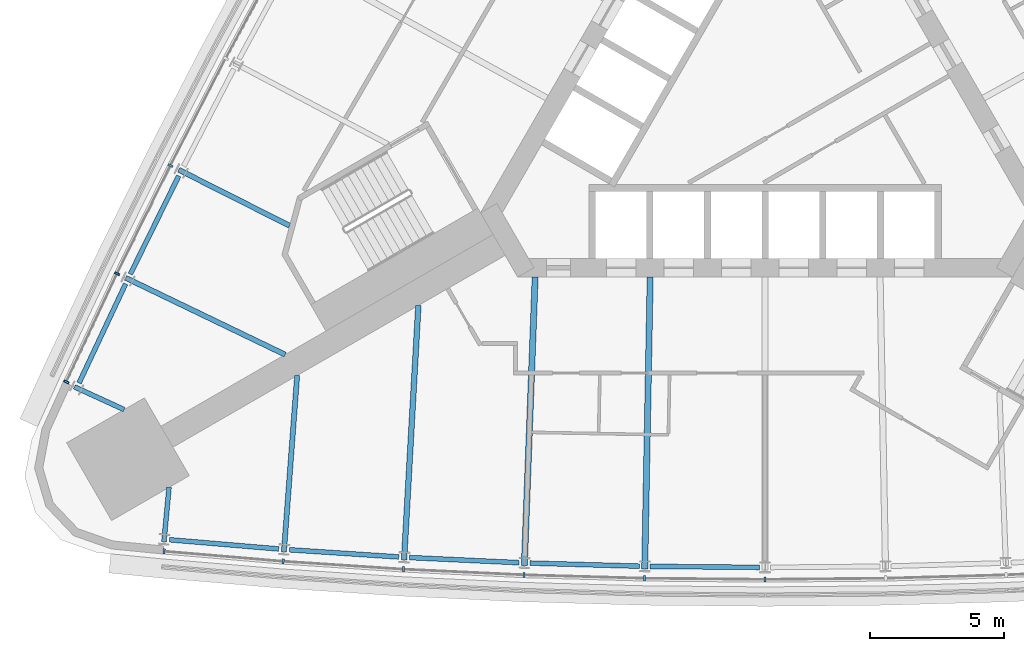
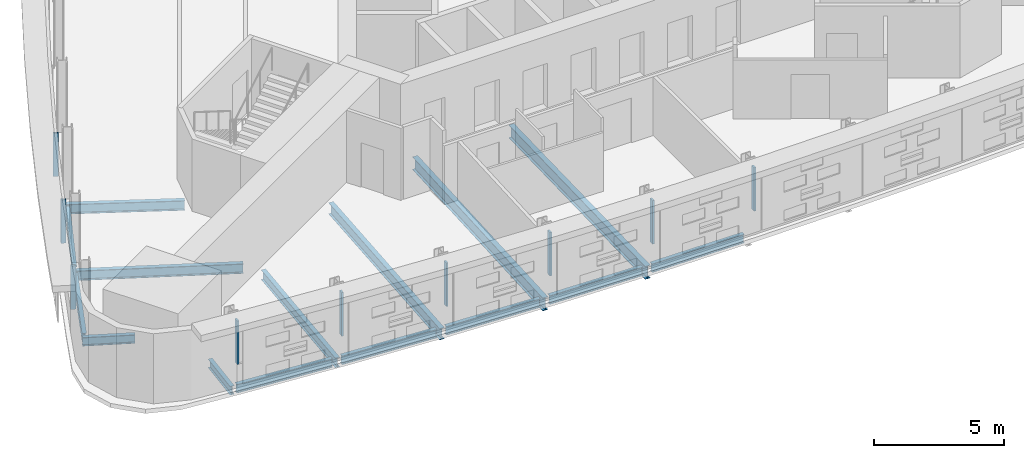
# One storey, part 2 of 14: 15 beams, 9 members, 2 elements without a shape of their own.
"""IFC4 building model written with IfcOpenShell, lengths in metres."""

from ifc_helpers import new_model, si_unit, direction, frame, origin, origin_2d, place, context, subcontext, project, spatial, rectangle, i_section, extrude, material, material_profile, profile_set, type_object, element, aggregate, save


model = new_model("IFC4")

# Units and contexts
model_context = context("Model", 3, precision=1e-05, world=origin(), true_north=direction((0.0, 1.0)))
body_context = subcontext(model_context, "Body", "Model", "MODEL_VIEW")
ifc_project = project(units=[si_unit("LENGTHUNIT", "METRE"), si_unit("AREAUNIT", "SQUARE_METRE"), si_unit("VOLUMEUNIT", "CUBIC_METRE"), si_unit("PLANEANGLEUNIT", "RADIAN"), si_unit("MASSUNIT", "GRAM", prefix="KILO")], contexts=[model_context])

# Site, building, storey
site_placement = place(None, origin())
site = spatial("IfcSite", under=ifc_project, at=site_placement, CompositionType="ELEMENT")
building_placement = place(site_placement, origin())
building = spatial("IfcBuilding", under=site, at=building_placement, Name="Noor Cloister Tower", CompositionType="ELEMENT")
storey_placement = place(building_placement, frame((0.0, 0.0, 34.800048828125)))
storey = spatial("IfcBuildingStorey", under=building, at=storey_placement, Name="L08", CompositionType="ELEMENT", Elevation=34.800048828125)

# Curtain wall, members
ifc_material_1 = material(Name="Aluminium 6063-T6 anodised", Category="aluminium")
curtain_wall_type = type_object("IfcCurtainWallType", Name="Ribbon curtain wall, lower tower CW1", PredefinedType="NOTDEFINED", material=ifc_material_1)
curtain_wall_1_placement = place(storey_placement, origin())
curtain_wall_1 = element("IfcCurtainWall", 1, at=curtain_wall_1_placement, inside=storey, type_object=curtain_wall_type, Name="CW1 L08 NW run 1", PredefinedType="NOTDEFINED")
ifc_material_2 = material(Name="Aluminium 6063-T6 anodised", Category="aluminium")
ifc_material_profile_1 = material_profile(ifc_material_2, rectangle(XDim=0.199951171875, YDim=0.080078125, at=origin_2d()), Name="200 x 80 mullion")
ifc_profile_set_1 = profile_set([ifc_material_profile_1], Name="Aluminium 6063-T6 anodised")
member_type = type_object("IfcMemberType", Name="Mullion CW1 80 x 200", PredefinedType="MULLION", material=ifc_profile_set_1)
member_1_placement = place(storey_placement, frame((-22.18310546875, -2.766357421875, 1.099853515625), z_axis=(0.0, 0.0, 1.0), x_axis=(0.892735341075, -0.450581414169, 0.0)))
member_1 = element("IfcMember", 2, at=member_1_placement, type_object=member_type, Name="CW1 mullion 9", PredefinedType="MULLION", context=body_context, shape_type="SweptSolid", body=[
    extrude(rectangle(XDim=0.199951171875, YDim=0.080078125, at=origin_2d()), origin(), (0.0, 0.0, 1.0), 2.050048828125),
])
member_2_placement = place(storey_placement, frame((-24.172119140625, -6.80078125, 1.099853515625), z_axis=(0.0, 0.0, 1.0), x_axis=(0.901016538018, -0.43378473719, 0.0)))
member_2 = element("IfcMember", 3, at=member_2_placement, type_object=member_type, Name="CW1 mullion 10", PredefinedType="MULLION", context=body_context, shape_type="SweptSolid", body=[
    extrude(rectangle(XDim=0.199951171875, YDim=0.080078125, at=origin_2d()), origin(), (0.0, 0.0, 1.0), 2.050048828125),
])
member_3_placement = place(storey_placement, frame((-26.068603515625, -10.83642578125, 1.099853515625), z_axis=(0.0, 0.0, 1.0), x_axis=(0.905038812816, -0.425328987134, 0.0)))
member_3 = element("IfcMember", 4, at=member_3_placement, type_object=member_type, Name="CW1 mullion 11", PredefinedType="MULLION", context=body_context, shape_type="SweptSolid", body=[
    extrude(rectangle(XDim=0.199951171875, YDim=0.080078125, at=origin_2d()), origin(), (0.0, 0.0, 1.0), 2.050048828125),
])
aggregate(curtain_wall_1, [member_1, member_2, member_3])

curtain_wall_2_placement = place(storey_placement, origin())
curtain_wall_2 = element("IfcCurtainWall", 5, at=curtain_wall_2_placement, inside=storey, type_object=curtain_wall_type, Name="CW1 L08 S run 2", PredefinedType="NOTDEFINED")
member_4_placement = place(storey_placement, frame((-22.4189453125, -17.157958984375, 1.099853515625), z_axis=(0.0, 0.0, 1.0), x_axis=(0.084173698584, 0.996451096877, 0.0)))
member_4 = element("IfcMember", 6, at=member_4_placement, type_object=member_type, Name="CW1 mullion 1", PredefinedType="MULLION", context=body_context, shape_type="SweptSolid", body=[
    extrude(rectangle(XDim=0.199951171875, YDim=0.080078125, at=origin_2d()), origin(), (0.0, 0.0, 1.0), 2.050048828125),
])
member_5_placement = place(storey_placement, frame((-17.9755859375, -17.533203125, 1.099853515625), z_axis=(0.0, 0.0, 1.0), x_axis=(0.074839666829, 0.997195579748, 0.0)))
member_5 = element("IfcMember", 7, at=member_5_placement, type_object=member_type, Name="CW1 mullion 2", PredefinedType="MULLION", context=body_context, shape_type="SweptSolid", body=[
    extrude(rectangle(XDim=0.199951171875, YDim=0.080078125, at=origin_2d()), origin(), (0.0, 0.0, 1.0), 2.050048828125),
])
member_6_placement = place(storey_placement, frame((-13.4873046875, -17.827880859375, 1.099853515625), z_axis=(0.0, 0.0, 1.0), x_axis=(0.056152719394, 0.998422191312, 0.0)))
member_6 = element("IfcMember", 8, at=member_6_placement, type_object=member_type, Name="CW1 mullion 3", PredefinedType="MULLION", context=body_context, shape_type="SweptSolid", body=[
    extrude(rectangle(XDim=0.199951171875, YDim=0.080078125, at=origin_2d()), origin(), (0.0, 0.0, 1.0), 2.050048828125),
])
member_7_placement = place(storey_placement, frame((-8.994140625, -18.038330078125, 1.099853515625), z_axis=(0.0, 0.0, 1.0), x_axis=(0.037446096272, 0.99929864899, 0.0)))
member_7 = element("IfcMember", 9, at=member_7_placement, type_object=member_type, Name="CW1 mullion 4", PredefinedType="MULLION", context=body_context, shape_type="SweptSolid", body=[
    extrude(rectangle(XDim=0.199951171875, YDim=0.080078125, at=origin_2d()), origin(), (0.0, 0.0, 1.0), 2.050048828125),
])
member_8_placement = place(storey_placement, frame((-4.497802734375, -18.164794921875, 1.099853515625), z_axis=(0.0, 0.0, 1.0), x_axis=(0.018726323132, 0.999824647037, 0.0)))
member_8 = element("IfcMember", 10, at=member_8_placement, type_object=member_type, Name="CW1 mullion 5", PredefinedType="MULLION", context=body_context, shape_type="SweptSolid", body=[
    extrude(rectangle(XDim=0.199951171875, YDim=0.080078125, at=origin_2d()), origin(), (0.0, 0.0, 1.0), 2.050048828125),
])
member_9_placement = place(storey_placement, frame((0.0, -18.206787109375, 1.099853515625), z_axis=(0.0, 0.0, 1.0), x_axis=(0.0, 1.0, 0.0)))
member_9 = element("IfcMember", 11, at=member_9_placement, type_object=member_type, Name="CW1 mullion 6", PredefinedType="MULLION", context=body_context, shape_type="SweptSolid", body=[
    extrude(rectangle(XDim=0.199951171875, YDim=0.080078125, at=origin_2d()), origin(), (0.0, 0.0, 1.0), 2.050048828125),
])
aggregate(curtain_wall_2, [member_4, member_5, member_6, member_7, member_8, member_9])

# Beams
ifc_material_3 = material(Name="Steel ASTM A992 Gr 50", Category="steel")
ifc_material_profile_2 = material_profile(ifc_material_3, i_section(OverallWidth=0.177978515625, OverallDepth=0.406005859375, WebThickness=0.0078125, FlangeThickness=0.0126953125, FilletRadius=0.01025390625, at=origin_2d()), Name="W410x60")
ifc_profile_set_2 = profile_set([ifc_material_profile_2], Name="Steel ASTM A992 Gr 50")
beam_type_1 = type_object("IfcBeamType", Name="Radial beam W410x60", PredefinedType="BEAM", material=ifc_profile_set_2)
for number, where, z_axis, x_axis, name in (
    (12, (-25.764404296875, -11.018798828125, -0.403076171875), (0.908989304817, -0.416819437801, 0.0), (0.416819437801, 0.908989304817, 0.0), "Radial beam NW 11 L08"),
    (13, (-22.4248046875, -16.80322265625, -0.403076171875), (0.093533376396, 0.995616144656, 0.0), (-0.995616144656, 0.093533376396, 0.0), "Radial beam S 01 L08"),
):
    element("IfcBeam", number, at=place(storey_placement, frame(where, z_axis=z_axis, x_axis=x_axis)), inside=storey, type_object=beam_type_1, Name=name, PredefinedType="BEAM", context=body_context, shape_type="SweptSolid", body=[
        extrude(i_section(OverallWidth=0.177978515625, OverallDepth=0.406005859375, WebThickness=0.0078125, FlangeThickness=0.0126953125, FilletRadius=0.01025390625, at=origin_2d()), origin(), (0.0, 0.0, 1.0), 2.041259765625),
    ])
ifc_material_4 = material(Name="Steel ASTM A992 Gr 50", Category="steel")
ifc_material_profile_3 = material_profile(ifc_material_4, i_section(OverallWidth=0.19091796875, OverallDepth=0.45703125, WebThickness=0.009033203125, FlangeThickness=0.014404296875, FilletRadius=0.01025390625, at=origin_2d()), Name="W460x74")
ifc_profile_set_3 = profile_set([ifc_material_profile_3], Name="Steel ASTM A992 Gr 50")
beam_type_2 = type_object("IfcBeamType", Name="Radial beam W460x74", PredefinedType="BEAM", material=ifc_profile_set_3)
beam_1_placement = place(storey_placement, frame((-21.867919921875, -2.925537109375, -0.428466796875), z_axis=(0.892743942628, -0.450564371541, 0.0), x_axis=(0.450564371541, 0.892743942628, 0.0)))
element("IfcBeam", 14, at=beam_1_placement, inside=storey, type_object=beam_type_2, Name="Radial beam NW 09 L08", PredefinedType="BEAM", context=body_context, shape_type="SweptSolid", body=[
    extrude(i_section(OverallWidth=0.19091796875, OverallDepth=0.45703125, WebThickness=0.009033203125, FlangeThickness=0.014404296875, FilletRadius=0.01025390625, at=origin_2d()), origin(), (0.0, 0.0, 1.0), 4.629638671875),
])
beam_2_placement = place(storey_placement, frame((-23.85400390625, -6.953857421875, -0.428466796875), z_axis=(0.901019869253, -0.433777817795, 0.0), x_axis=(0.433777817795, 0.901019869253, 0.0)))
element("IfcBeam", 15, at=beam_2_placement, inside=storey, type_object=beam_type_2, Name="Radial beam NW 10 L08", PredefinedType="BEAM", context=body_context, shape_type="SweptSolid", body=[
    extrude(i_section(OverallWidth=0.19091796875, OverallDepth=0.45703125, WebThickness=0.009033203125, FlangeThickness=0.014404296875, FilletRadius=0.01025390625, at=origin_2d()), origin(), (0.0, 0.0, 1.0), 6.6025390625),
])
beam_3_placement = place(storey_placement, frame((-17.94921875, -17.18115234375, -0.428466796875), z_axis=(0.074844186113, 0.997195240565, 0.0), x_axis=(-0.997195240565, 0.074844186113, 0.0)))
element("IfcBeam", 16, at=beam_3_placement, inside=storey, type_object=beam_type_2, Name="Radial beam S 02 L08", PredefinedType="BEAM", context=body_context, shape_type="SweptSolid", body=[
    extrude(i_section(OverallWidth=0.19091796875, OverallDepth=0.45703125, WebThickness=0.009033203125, FlangeThickness=0.014404296875, FilletRadius=0.01025390625, at=origin_2d()), origin(), (0.0, 0.0, 1.0), 6.602294921875),
])
ifc_material_5 = material(Name="Steel ASTM A992 Gr 50", Category="steel")
ifc_material_profile_4 = material_profile(ifc_material_5, i_section(OverallWidth=0.208984375, OverallDepth=0.532958984375, WebThickness=0.01025390625, FlangeThickness=0.015625, FilletRadius=0.0126953125, at=origin_2d()), Name="W530x92")
ifc_profile_set_4 = profile_set([ifc_material_profile_4], Name="Steel ASTM A992 Gr 50")
beam_type_3 = type_object("IfcBeamType", Name="Radial beam W530x92", PredefinedType="BEAM", material=ifc_profile_set_4)
beam_4_placement = place(storey_placement, frame((-13.467529296875, -17.475341796875, -0.466552734375), z_axis=(0.056158660451, 0.998421857161, 0.0), x_axis=(-0.998421857161, 0.056158660451, 0.0)))
element("IfcBeam", 17, at=beam_4_placement, inside=storey, type_object=beam_type_3, Name="Radial beam S 03 L08", PredefinedType="BEAM", context=body_context, shape_type="SweptSolid", body=[
    extrude(i_section(OverallWidth=0.208984375, OverallDepth=0.532958984375, WebThickness=0.01025390625, FlangeThickness=0.015625, FilletRadius=0.0126953125, at=origin_2d()), origin(), (0.0, 0.0, 1.0), 9.503173828125),
])
ifc_material_6 = material(Name="Steel ASTM A992 Gr 50", Category="steel")
ifc_material_profile_5 = material_profile(ifc_material_6, i_section(OverallWidth=0.22802734375, OverallDepth=0.60205078125, WebThickness=0.010498046875, FlangeThickness=0.014892578125, FilletRadius=0.0126953125, at=origin_2d()), Name="W610x101")
ifc_profile_set_5 = profile_set([ifc_material_profile_5], Name="Steel ASTM A992 Gr 50")
beam_type_4 = type_object("IfcBeamType", Name="Radial beam W610x101", PredefinedType="BEAM", material=ifc_profile_set_5)
beam_5_placement = place(storey_placement, frame((-8.98095703125, -17.685546875, -0.5009765625), z_axis=(0.037443652595, 0.999298740558, 0.0), x_axis=(-0.999298740558, 0.037443652595, 0.0)))
element("IfcBeam", 18, at=beam_5_placement, inside=storey, type_object=beam_type_4, Name="Radial beam S 04 L08", PredefinedType="BEAM", context=body_context, shape_type="SweptSolid", body=[
    extrude(i_section(OverallWidth=0.22802734375, OverallDepth=0.60205078125, WebThickness=0.010498046875, FlangeThickness=0.014892578125, FilletRadius=0.0126953125, at=origin_2d()), origin(), (0.0, 0.0, 1.0), 10.764892578125),
])
ifc_material_7 = material(Name="Steel ASTM A992 Gr 50", Category="steel")
ifc_material_profile_6 = material_profile(ifc_material_7, i_section(OverallWidth=0.22900390625, OverallDepth=0.612060546875, WebThickness=0.011962890625, FlangeThickness=0.01953125, FilletRadius=0.0126953125, at=origin_2d()), Name="W610x125")
ifc_profile_set_6 = profile_set([ifc_material_profile_6], Name="Steel ASTM A992 Gr 50")
beam_type_5 = type_object("IfcBeamType", Name="Radial beam W610x125", PredefinedType="BEAM", material=ifc_profile_set_6)
beam_6_placement = place(storey_placement, frame((-4.4912109375, -17.811767578125, -0.506103515625), z_axis=(0.01872750761, 0.999824624851, 0.0), x_axis=(-0.999824624851, 0.01872750761, 0.0)))
element("IfcBeam", 19, at=beam_6_placement, inside=storey, type_object=beam_type_5, Name="Radial beam S 05 L08", PredefinedType="BEAM", context=body_context, shape_type="SweptSolid", body=[
    extrude(i_section(OverallWidth=0.22900390625, OverallDepth=0.612060546875, WebThickness=0.011962890625, FlangeThickness=0.01953125, FilletRadius=0.0126953125, at=origin_2d()), origin(), (0.0, 0.0, 1.0), 10.885498046875),
])
ifc_material_8 = material(Name="Steel ASTM A992 Gr 50", Category="steel")
ifc_material_profile_7 = material_profile(ifc_material_8, i_section(OverallWidth=0.177978515625, OverallDepth=0.406005859375, WebThickness=0.0078125, FlangeThickness=0.0126953125, FilletRadius=0.01025390625, at=origin_2d()), Name="W410x60")
ifc_profile_set_7 = profile_set([ifc_material_profile_7], Name="Steel ASTM A992 Gr 50")
beam_type_6 = type_object("IfcBeamType", Name="Spandrel beam W410x60", PredefinedType="SPANDREL", material=ifc_profile_set_7)
beam_7_placement = place(storey_placement, frame((-21.87060546875, -3.150390625, -0.403076171875), z_axis=(-0.442210832263, -0.896911132626, 0.0), x_axis=(0.896911132626, -0.442210832263, 0.0)))
element("IfcBeam", 20, at=beam_7_placement, inside=storey, type_object=beam_type_6, Name="Spandrel beam NW 09 L08", PredefinedType="SPANDREL", context=body_context, shape_type="SweptSolid", body=[
    extrude(i_section(OverallWidth=0.177978515625, OverallDepth=0.406005859375, WebThickness=0.0078125, FlangeThickness=0.0126953125, FilletRadius=0.01025390625, at=origin_2d()), origin(), (0.0, 0.0, 1.0), 4.08544921875),
])
beam_8_placement = place(storey_placement, frame((-23.8525390625, -7.1787109375, -0.403076171875), z_axis=(-0.425330795052, -0.905037963171, 0.0), x_axis=(0.905037963171, -0.425330795052, 0.0)))
element("IfcBeam", 21, at=beam_8_placement, inside=storey, type_object=beam_type_6, Name="Spandrel beam NW 10 L08", PredefinedType="SPANDREL", context=body_context, shape_type="SweptSolid", body=[
    extrude(i_section(OverallWidth=0.177978515625, OverallDepth=0.406005859375, WebThickness=0.0078125, FlangeThickness=0.0126953125, FilletRadius=0.01025390625, at=origin_2d()), origin(), (0.0, 0.0, 1.0), 4.085693359375),
])
beam_9_placement = place(storey_placement, frame((-22.21435546875, -16.7236328125, -0.403076171875), z_axis=(0.996454080445, -0.08413837153, 0.0), x_axis=(0.08413837153, 0.996454080445, 0.0)))
element("IfcBeam", 22, at=beam_9_placement, inside=storey, type_object=beam_type_6, Name="Spandrel beam S 01 L08", PredefinedType="SPANDREL", context=body_context, shape_type="SweptSolid", body=[
    extrude(i_section(OverallWidth=0.177978515625, OverallDepth=0.406005859375, WebThickness=0.0078125, FlangeThickness=0.0126953125, FilletRadius=0.01025390625, at=origin_2d()), origin(), (0.0, 0.0, 1.0), 4.08544921875),
])
beam_10_placement = place(storey_placement, frame((-17.740478515625, -17.09765625, -0.403076171875), z_axis=(0.997853109694, -0.065491766467, 0.0), x_axis=(0.065491766467, 0.997853109694, 0.0)))
element("IfcBeam", 23, at=beam_10_placement, inside=storey, type_object=beam_type_6, Name="Spandrel beam S 02 L08", PredefinedType="SPANDREL", context=body_context, shape_type="SweptSolid", body=[
    extrude(i_section(OverallWidth=0.177978515625, OverallDepth=0.406005859375, WebThickness=0.0078125, FlangeThickness=0.0126953125, FilletRadius=0.01025390625, at=origin_2d()), origin(), (0.0, 0.0, 1.0), 4.085693359375),
])
beam_11_placement = place(storey_placement, frame((-13.26025390625, -17.387939453125, -0.403076171875), z_axis=(0.998904745987, -0.046790046429, 0.0), x_axis=(0.046790046429, 0.998904745987, 0.0)))
element("IfcBeam", 24, at=beam_11_placement, inside=storey, type_object=beam_type_6, Name="Spandrel beam S 03 L08", PredefinedType="SPANDREL", context=body_context, shape_type="SweptSolid", body=[
    extrude(i_section(OverallWidth=0.177978515625, OverallDepth=0.406005859375, WebThickness=0.0078125, FlangeThickness=0.0126953125, FilletRadius=0.01025390625, at=origin_2d()), origin(), (0.0, 0.0, 1.0), 4.08544921875),
])
for number, where, z_axis, x_axis, name in (
    (25, (-8.775390625, -17.59423828125, -0.403076171875), (0.999605523948, -0.028085521058, 0.0), (0.028085521058, 0.999605523948, 0.0), "Spandrel beam S 04 L08"),
    (26, (-4.287353515625, -17.716552734375, -0.403076171875), (0.99995599104, -0.009381683435, 0.0), (0.009381683435, 0.99995599104, 0.0), "Spandrel beam S 05 L08"),
):
    element("IfcBeam", number, at=place(storey_placement, frame(where, z_axis=z_axis, x_axis=x_axis)), inside=storey, type_object=beam_type_6, Name=name, PredefinedType="SPANDREL", context=body_context, shape_type="SweptSolid", body=[
        extrude(i_section(OverallWidth=0.177978515625, OverallDepth=0.406005859375, WebThickness=0.0078125, FlangeThickness=0.0126953125, FilletRadius=0.01025390625, at=origin_2d()), origin(), (0.0, 0.0, 1.0), 4.085693359375),
    ])

save(model, "model.ifc")
